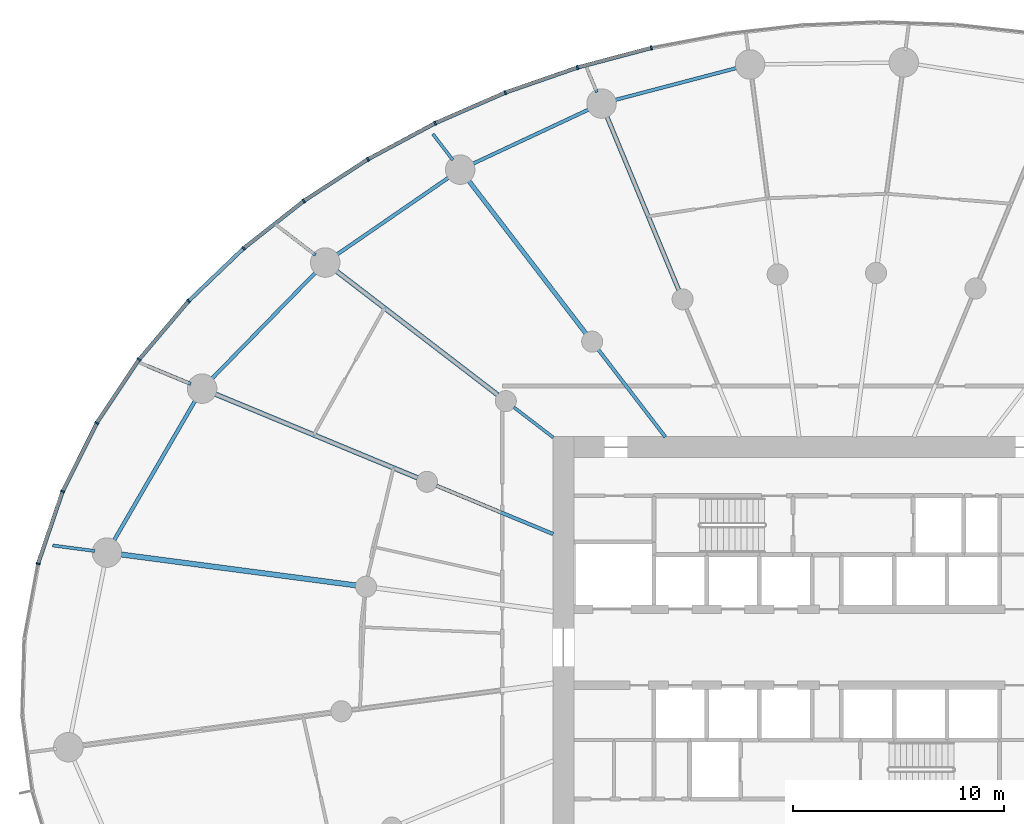
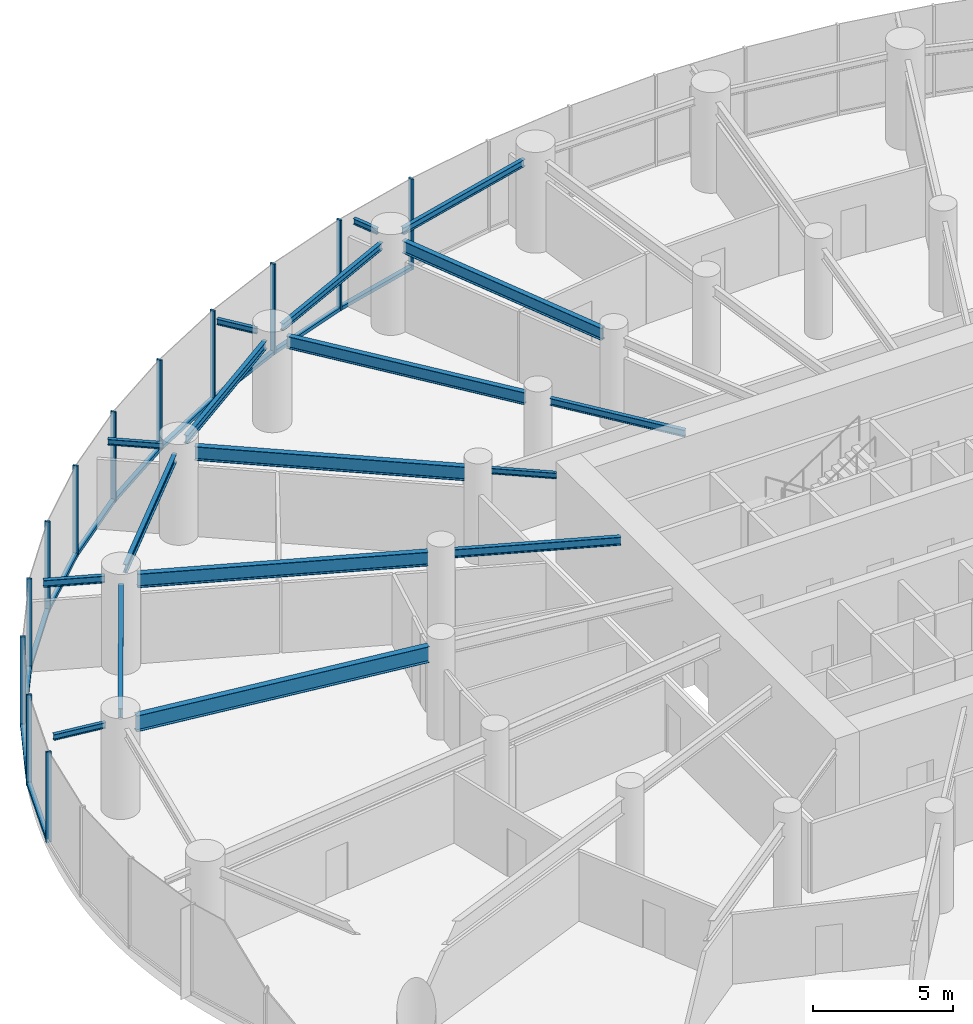
# One storey, part 6 of 18: 23 members, 18 beams, 3 elements without a shape of their own.
"""IFC4 building model written with IfcOpenShell, lengths in metres."""

from ifc_helpers import new_model, si_unit, direction, frame, origin, origin_2d, place, context, subcontext, project, spatial, rectangle, i_section, extrude, source, transform, mapped, material, layer, layer_set, material_profile, profile_set, type_object, element, aggregate, save


model = new_model("IFC4")

# Units and contexts
model_context = context("Model", 3, precision=1e-05, world=origin(), true_north=direction((0.0, 1.0)))
body_context = subcontext(model_context, "Body", "Model", "MODEL_VIEW")
ifc_project = project(units=[si_unit("LENGTHUNIT", "METRE"), si_unit("AREAUNIT", "SQUARE_METRE"), si_unit("VOLUMEUNIT", "CUBIC_METRE"), si_unit("PLANEANGLEUNIT", "RADIAN"), si_unit("MASSUNIT", "GRAM", prefix="KILO")], contexts=[model_context])

# Site, building, storey
site_placement = place(None, origin())
site = spatial("IfcSite", under=ifc_project, at=site_placement, CompositionType="ELEMENT")
building_placement = place(site_placement, origin())
building = spatial("IfcBuilding", under=site, at=building_placement, Name="Spindrift Exchange Tower", CompositionType="ELEMENT")
storey_placement = place(building_placement, frame((0.0, 0.0, 40.199951171875)))
storey = spatial("IfcBuildingStorey", under=building, at=storey_placement, Name="L09", CompositionType="ELEMENT", Elevation=40.199951171875)

# Beams
ifc_material_1 = material(Name="Steel Grade 300", Category="steel")
ifc_material_profile_1 = material_profile(ifc_material_1, i_section(OverallWidth=0.208984375, OverallDepth=0.532958984375, WebThickness=0.01025390625, FlangeThickness=0.015625, FilletRadius=0.013916015625, at=origin_2d()), Name="530UB92.4")
ifc_profile_set_1 = profile_set([ifc_material_profile_1], Name="Steel Grade 300")
beam_type_1 = type_object("IfcBeamType", Name="Floor Beam 530UB92.4 Steel Grade 300", PredefinedType="BEAM", material=ifc_profile_set_1)
shared_shape_1 = source(origin(), body_context, "Body", "SweptSolid", [
    extrude(i_section(OverallWidth=0.208984375, OverallDepth=0.532958984375, WebThickness=0.01025390625, FlangeThickness=0.015625, FilletRadius=0.013916015625, at=origin_2d()), origin(), (0.0, 0.0, 1.0), 8.99658203125),
])
beam_1_placement = place(storey_placement, frame((44.974609375, 64.9609375, 3.68359375), z_axis=(-0.382685731718, 0.923878580085, 0.0), x_axis=(-0.923878580085, -0.382685731718, 0.0)))
element("IfcBeam", 1, at=beam_1_placement, inside=storey, type_object=beam_type_1, Name="L09 radial beam R08B", PredefinedType="BEAM", context=body_context, shape_type="MappedRepresentation", body=[
    mapped(shared_shape_1, transform((0.0, 0.0, 0.0), scale=1.0)),
])
ifc_material_profile_2 = material_profile(ifc_material_1, i_section(OverallWidth=0.1650390625, OverallDepth=0.303955078125, WebThickness=0.006103515625, FlangeThickness=0.01025390625, FilletRadius=0.011474609375, at=origin_2d()), Name="310UB40.4")
ifc_profile_set_2 = profile_set([ifc_material_profile_2], Name="Steel Grade 300")
beam_type_2 = type_object("IfcBeamType", Name="Floor Beam 310UB40.4 Steel Grade 300", PredefinedType="BEAM", material=ifc_profile_set_2)
shared_shape_2 = source(origin(), body_context, "Body", "SweptSolid", [
    extrude(i_section(OverallWidth=0.1650390625, OverallDepth=0.303955078125, WebThickness=0.006103515625, FlangeThickness=0.01025390625, FilletRadius=0.011474609375, at=origin_2d()), origin(), (0.0, 0.0, 1.0), 5.224609375),
])
beam_2_placement = place(storey_placement, frame((44.3388671875, 57.984130859375, 3.798095703125), z_axis=(-0.608741499316, 0.793368632485, 0.0), x_axis=(-0.793368632485, -0.608741499316, 0.0)))
element("IfcBeam", 2, at=beam_2_placement, inside=storey, type_object=beam_type_2, Name="L09 radial beam R09A", PredefinedType="BEAM", context=body_context, shape_type="MappedRepresentation", body=[
    mapped(shared_shape_2, transform((0.0, 0.0, 0.0), scale=1.0)),
])
shared_shape_3 = source(origin(), body_context, "Body", "SweptSolid", [
    extrude(i_section(OverallWidth=0.208984375, OverallDepth=0.532958984375, WebThickness=0.01025390625, FlangeThickness=0.015625, FilletRadius=0.013916015625, at=origin_2d()), origin(), (0.0, 0.0, 1.0), 9.227783203125),
])
beam_3_placement = place(storey_placement, frame((40.573974609375, 62.890625, 3.68359375), z_axis=(-0.608747534474, 0.79336400175, 0.0), x_axis=(-0.79336400175, -0.608747534474, 0.0)))
element("IfcBeam", 3, at=beam_3_placement, inside=storey, type_object=beam_type_1, Name="L09 radial beam R09B", PredefinedType="BEAM", context=body_context, shape_type="MappedRepresentation", body=[
    mapped(shared_shape_3, transform((0.0, 0.0, 0.0), scale=1.0)),
])
ifc_material_profile_3 = material_profile(ifc_material_1, i_section(OverallWidth=0.14599609375, OverallDepth=0.251953125, WebThickness=0.006103515625, FlangeThickness=0.008544921875, FilletRadius=0.011962890625, at=origin_2d()), Name="250UB31.4")
ifc_profile_set_3 = profile_set([ifc_material_profile_3], Name="Steel Grade 300")
beam_type_3 = type_object("IfcBeamType", Name="Floor Beam 250UB31.4 Steel Grade 300", PredefinedType="BEAM", material=ifc_profile_set_3)
shared_shape_4 = source(origin(), body_context, "Body", "SweptSolid", [
    extrude(i_section(OverallWidth=0.14599609375, OverallDepth=0.251953125, WebThickness=0.006103515625, FlangeThickness=0.008544921875, FilletRadius=0.011962890625, at=origin_2d()), origin(), (0.0, 0.0, 1.0), 2.353759765625),
])
beam_4_placement = place(storey_placement, frame((39.015869140625, 57.963134765625, 3.823974609375), z_axis=(-0.793367573265, 0.608742879787, 0.0), x_axis=(-0.608742879787, -0.793367573265, 0.0)))
element("IfcBeam", 4, at=beam_4_placement, inside=storey, type_object=beam_type_3, Name="L09 radial beam R10A", PredefinedType="BEAM", context=body_context, shape_type="MappedRepresentation", body=[
    mapped(shared_shape_4, transform((0.0, 0.0, 0.0), scale=1.0)),
])
ifc_material_profile_4 = material_profile(ifc_material_1, i_section(OverallWidth=0.22802734375, OverallDepth=0.60693359375, WebThickness=0.01123046875, FlangeThickness=0.017333984375, FilletRadius=0.013916015625, at=origin_2d()), Name="610UB113")
ifc_profile_set_4 = profile_set([ifc_material_profile_4], Name="Steel Grade 300")
beam_type_4 = type_object("IfcBeamType", Name="Floor Beam 610UB113 Steel Grade 300", PredefinedType="BEAM", material=ifc_profile_set_4)
shared_shape_5 = source(origin(), body_context, "Body", "SweptSolid", [
    extrude(i_section(OverallWidth=0.22802734375, OverallDepth=0.60693359375, WebThickness=0.01123046875, FlangeThickness=0.017333984375, FilletRadius=0.013916015625, at=origin_2d()), origin(), (0.0, 0.0, 1.0), 9.73974609375),
])
beam_5_placement = place(storey_placement, frame((36.38671875, 59.98046875, 3.646484375), z_axis=(-0.793352119621, 0.608763019814, 0.0), x_axis=(-0.608763019814, -0.793352119621, 0.0)))
element("IfcBeam", 5, at=beam_5_placement, inside=storey, type_object=beam_type_4, Name="L09 radial beam R10B", PredefinedType="BEAM", context=body_context, shape_type="MappedRepresentation", body=[
    mapped(shared_shape_5, transform((0.0, 0.0, 0.0), scale=1.0)),
])
ifc_material_profile_5 = material_profile(ifc_material_1, i_section(OverallWidth=0.172119140625, OverallDepth=0.35888671875, WebThickness=0.008056640625, FlangeThickness=0.012939453125, FilletRadius=0.013916015625, at=origin_2d()), Name="360UB56.7")
ifc_profile_set_5 = profile_set([ifc_material_profile_5], Name="Steel Grade 300")
beam_type_5 = type_object("IfcBeamType", Name="Floor Beam 360UB56.7 Steel Grade 300", PredefinedType="BEAM", material=ifc_profile_set_5)
shared_shape_6 = source(origin(), body_context, "Body", "SweptSolid", [
    extrude(i_section(OverallWidth=0.172119140625, OverallDepth=0.35888671875, WebThickness=0.008056640625, FlangeThickness=0.012939453125, FilletRadius=0.013916015625, at=origin_2d()), origin(), (0.0, 0.0, 1.0), 6.004638671875),
])
beam_6_placement = place(storey_placement, frame((39.0185546875, 53.377197265625, 3.7705078125), z_axis=(-0.923882044911, 0.38267736684, 0.0), x_axis=(-0.38267736684, -0.923882044911, 0.0)))
element("IfcBeam", 6, at=beam_6_placement, inside=storey, type_object=beam_type_5, Name="L09 radial beam R11A", PredefinedType="BEAM", context=body_context, shape_type="MappedRepresentation", body=[
    mapped(shared_shape_6, transform((0.0, 0.0, 0.0), scale=1.0)),
])
shared_shape_7 = source(origin(), body_context, "Body", "SweptSolid", [
    extrude(i_section(OverallWidth=0.22802734375, OverallDepth=0.60693359375, WebThickness=0.01123046875, FlangeThickness=0.017333984375, FilletRadius=0.013916015625, at=origin_2d()), origin(), (0.0, 0.0, 1.0), 10.4912109375),
])
beam_7_placement = place(storey_placement, frame((32.583984375, 56.04248046875, 3.646484375), z_axis=(-0.923885231151, 0.382669674342, 0.0), x_axis=(-0.382669674342, -0.923885231151, 0.0)))
element("IfcBeam", 7, at=beam_7_placement, inside=storey, type_object=beam_type_4, Name="L09 radial beam R11B", PredefinedType="BEAM", context=body_context, shape_type="MappedRepresentation", body=[
    mapped(shared_shape_7, transform((0.0, 0.0, 0.0), scale=1.0)),
])
ifc_material_profile_6 = material_profile(ifc_material_1, i_section(OverallWidth=0.25, OverallDepth=0.699951171875, WebThickness=0.008056640625, FlangeThickness=0.011962890625, at=origin_2d()), Name="700WB115")
ifc_profile_set_6 = profile_set([ifc_material_profile_6], Name="Steel Grade 300")
beam_type_6 = type_object("IfcBeamType", Name="Floor Beam 700WB115 Steel Grade 300", PredefinedType="BEAM", material=ifc_profile_set_6)
shared_shape_8 = source(origin(), body_context, "Body", "SweptSolid", [
    extrude(i_section(OverallWidth=0.25, OverallDepth=0.699951171875, WebThickness=0.008056640625, FlangeThickness=0.011962890625, at=origin_2d()), origin(), (0.0, 0.0, 1.0), 11.34423828125),
])
beam_8_placement = place(storey_placement, frame((29.660888671875, 50.94091796875, 3.60009765625), z_axis=(-0.991444770187, 0.130526884848, 0.0), x_axis=(-0.130526884848, -0.991444770187, 0.0)))
element("IfcBeam", 8, at=beam_8_placement, inside=storey, type_object=beam_type_6, Name="L09 radial beam R12B", PredefinedType="BEAM", context=body_context, shape_type="MappedRepresentation", body=[
    mapped(shared_shape_8, transform((0.0, 0.0, 0.0), scale=1.0)),
])
ifc_material_profile_7 = material_profile(ifc_material_1, i_section(OverallWidth=0.1650390625, OverallDepth=0.303955078125, WebThickness=0.006103515625, FlangeThickness=0.01025390625, FilletRadius=0.011474609375, at=origin_2d()), Name="310UB40.4")
ifc_profile_set_7 = profile_set([ifc_material_profile_7], Name="Steel Grade 300")
beam_type_7 = type_object("IfcBeamType", Name="Edge Beam 310UB40.4 Steel Grade 300", PredefinedType="SPANDREL", material=ifc_profile_set_7)
shared_shape_9 = source(origin(), body_context, "Body", "SweptSolid", [
    extrude(i_section(OverallWidth=0.1650390625, OverallDepth=0.303955078125, WebThickness=0.006103515625, FlangeThickness=0.01025390625, FilletRadius=0.011474609375, at=origin_2d()), origin(), (0.0, 0.0, 1.0), 6.128173828125),
])
beam_9_placement = place(storey_placement, frame((47.79736328125, 75.513916015625, 3.798095703125), z_axis=(-0.967147261855, -0.254216785216, 0.0), x_axis=(0.254216785216, -0.967147261855, 0.0)))
element("IfcBeam", 9, at=beam_9_placement, inside=storey, type_object=beam_type_7, Name="L09 edge beam E07", PredefinedType="SPANDREL", context=body_context, shape_type="MappedRepresentation", body=[
    mapped(shared_shape_9, transform((0.0, 0.0, 0.0), scale=1.0)),
])
shared_shape_10 = source(origin(), body_context, "Body", "SweptSolid", [
    extrude(i_section(OverallWidth=0.1650390625, OverallDepth=0.303955078125, WebThickness=0.006103515625, FlangeThickness=0.01025390625, FilletRadius=0.011474609375, at=origin_2d()), origin(), (0.0, 0.0, 1.0), 6.243408203125),
])
beam_10_placement = place(storey_placement, frame((40.7841796875, 73.56298828125, 3.798095703125), z_axis=(-0.905791146607, -0.423724437257, 0.0), x_axis=(0.423724437257, -0.905791146607, 0.0)))
element("IfcBeam", 10, at=beam_10_placement, inside=storey, type_object=beam_type_7, Name="L09 edge beam E08", PredefinedType="SPANDREL", context=body_context, shape_type="MappedRepresentation", body=[
    mapped(shared_shape_10, transform((0.0, 0.0, 0.0), scale=1.0)),
])
ifc_material_profile_8 = material_profile(ifc_material_1, i_section(OverallWidth=0.172119140625, OverallDepth=0.35888671875, WebThickness=0.008056640625, FlangeThickness=0.012939453125, FilletRadius=0.013916015625, at=origin_2d()), Name="360UB56.7")
ifc_profile_set_8 = profile_set([ifc_material_profile_8], Name="Steel Grade 300")
beam_type_8 = type_object("IfcBeamType", Name="Edge Beam 360UB56.7 Steel Grade 300", PredefinedType="SPANDREL", material=ifc_profile_set_8)
shared_shape_11 = source(origin(), body_context, "Body", "SweptSolid", [
    extrude(i_section(OverallWidth=0.172119140625, OverallDepth=0.35888671875, WebThickness=0.008056640625, FlangeThickness=0.012939453125, FilletRadius=0.013916015625, at=origin_2d()), origin(), (0.0, 0.0, 1.0), 6.614990234375),
])
beam_11_placement = place(storey_placement, frame((34.125732421875, 70.3427734375, 3.7705078125), z_axis=(-0.823690708835, -0.567039342708, 0.0), x_axis=(0.567039342708, -0.823690708835, 0.0)))
element("IfcBeam", 11, at=beam_11_placement, inside=storey, type_object=beam_type_8, Name="L09 edge beam E09", PredefinedType="SPANDREL", context=body_context, shape_type="MappedRepresentation", body=[
    mapped(shared_shape_11, transform((0.0, 0.0, 0.0), scale=1.0)),
])
shared_shape_12 = source(origin(), body_context, "Body", "SweptSolid", [
    extrude(i_section(OverallWidth=0.172119140625, OverallDepth=0.35888671875, WebThickness=0.008056640625, FlangeThickness=0.012939453125, FilletRadius=0.013916015625, at=origin_2d()), origin(), (0.0, 0.0, 1.0), 7.2041015625),
])
beam_12_placement = place(storey_placement, frame((27.794189453125, 65.847900390625, 3.7705078125), z_axis=(-0.698703626006, -0.715411240481, 0.0), x_axis=(0.715411240481, -0.698703626006, 0.0)))
element("IfcBeam", 12, at=beam_12_placement, inside=storey, type_object=beam_type_8, Name="L09 edge beam E10", PredefinedType="SPANDREL", context=body_context, shape_type="MappedRepresentation", body=[
    mapped(shared_shape_12, transform((0.0, 0.0, 0.0), scale=1.0)),
])
ifc_material_profile_9 = material_profile(ifc_material_1, i_section(OverallWidth=0.177978515625, OverallDepth=0.406005859375, WebThickness=0.0078125, FlangeThickness=0.0126953125, FilletRadius=0.013916015625, at=origin_2d()), Name="410UB59.7")
ifc_profile_set_9 = profile_set([ifc_material_profile_9], Name="Steel Grade 300")
beam_type_9 = type_object("IfcBeamType", Name="Edge Beam 410UB59.7 Steel Grade 300", PredefinedType="SPANDREL", material=ifc_profile_set_9)
shared_shape_13 = source(origin(), body_context, "Body", "SweptSolid", [
    extrude(i_section(OverallWidth=0.177978515625, OverallDepth=0.406005859375, WebThickness=0.0078125, FlangeThickness=0.0126953125, FilletRadius=0.013916015625, at=origin_2d()), origin(), (0.0, 0.0, 1.0), 7.837646484375),
])
beam_13_placement = place(storey_placement, frame((22.064208984375, 59.777587890625, 3.7470703125), z_axis=(-0.50198145655, -0.864878382942, 0.0), x_axis=(0.864878382942, -0.50198145655, 0.0)))
element("IfcBeam", 13, at=beam_13_placement, inside=storey, type_object=beam_type_9, Name="L09 edge beam E11", PredefinedType="SPANDREL", context=body_context, shape_type="MappedRepresentation", body=[
    mapped(shared_shape_13, transform((0.0, 0.0, 0.0), scale=1.0)),
])
ifc_material_profile_10 = material_profile(ifc_material_1, i_section(OverallWidth=0.14599609375, OverallDepth=0.251953125, WebThickness=0.006103515625, FlangeThickness=0.008544921875, FilletRadius=0.011962890625, at=origin_2d()), Name="250UB31.4")
ifc_profile_set_10 = profile_set([ifc_material_profile_10], Name="Steel Grade 300")
beam_type_10 = type_object("IfcBeamType", Name="Cantilever Beam 250UB31.4 Steel Grade 300", PredefinedType="BEAM", material=ifc_profile_set_10)
shared_shape_14 = source(origin(), body_context, "Body", "SweptSolid", [
    extrude(i_section(OverallWidth=0.14599609375, OverallDepth=0.251953125, WebThickness=0.006103515625, FlangeThickness=0.008544921875, FilletRadius=0.011962890625, at=origin_2d()), origin(), (0.0, 0.0, 1.0), 1.0703125),
])
beam_14_placement = place(storey_placement, frame((41.087890625, 74.344482421875, 3.823974609375), z_axis=(-0.382768141022, 0.923844440487, 0.0), x_axis=(-0.923844440487, -0.382768141022, 0.0)))
element("IfcBeam", 14, at=beam_14_placement, inside=storey, type_object=beam_type_10, Name="L09 cantilever beam R08T", PredefinedType="BEAM", context=body_context, shape_type="MappedRepresentation", body=[
    mapped(shared_shape_14, transform((0.0, 0.0, 0.0), scale=1.0)),
])
shared_shape_15 = source(origin(), body_context, "Body", "SweptSolid", [
    extrude(i_section(OverallWidth=0.14599609375, OverallDepth=0.251953125, WebThickness=0.006103515625, FlangeThickness=0.008544921875, FilletRadius=0.011962890625, at=origin_2d()), origin(), (0.0, 0.0, 1.0), 1.551025390625),
])
beam_15_placement = place(storey_placement, frame((34.250244140625, 71.1318359375, 3.823974609375), z_axis=(-0.608728928553, 0.79337827771, 0.0), x_axis=(-0.79337827771, -0.608728928553, 0.0)))
element("IfcBeam", 15, at=beam_15_placement, inside=storey, type_object=beam_type_10, Name="L09 cantilever beam R09T", PredefinedType="BEAM", context=body_context, shape_type="MappedRepresentation", body=[
    mapped(shared_shape_15, transform((0.0, 0.0, 0.0), scale=1.0)),
])
shared_shape_16 = source(origin(), body_context, "Body", "SweptSolid", [
    extrude(i_section(OverallWidth=0.14599609375, OverallDepth=0.251953125, WebThickness=0.006103515625, FlangeThickness=0.008544921875, FilletRadius=0.011962890625, at=origin_2d()), origin(), (0.0, 0.0, 1.0), 1.985107421875),
])
beam_16_placement = place(storey_placement, frame((27.7392578125, 66.615966796875, 3.823974609375), z_axis=(-0.7933549083, 0.608759385535, 0.0), x_axis=(-0.608759385535, -0.7933549083, 0.0)))
element("IfcBeam", 16, at=beam_16_placement, inside=storey, type_object=beam_type_10, Name="L09 cantilever beam R10T", PredefinedType="BEAM", context=body_context, shape_type="MappedRepresentation", body=[
    mapped(shared_shape_16, transform((0.0, 0.0, 0.0), scale=1.0)),
])
ifc_material_profile_11 = material_profile(ifc_material_1, i_section(OverallWidth=0.1650390625, OverallDepth=0.303955078125, WebThickness=0.006103515625, FlangeThickness=0.01025390625, FilletRadius=0.011474609375, at=origin_2d()), Name="310UB40.4")
ifc_profile_set_11 = profile_set([ifc_material_profile_11], Name="Steel Grade 300")
beam_type_11 = type_object("IfcBeamType", Name="Cantilever Beam 310UB40.4 Steel Grade 300", PredefinedType="BEAM", material=ifc_profile_set_11)
shared_shape_17 = source(origin(), body_context, "Body", "SweptSolid", [
    extrude(i_section(OverallWidth=0.1650390625, OverallDepth=0.303955078125, WebThickness=0.006103515625, FlangeThickness=0.01025390625, FilletRadius=0.011474609375, at=origin_2d()), origin(), (0.0, 0.0, 1.0), 2.22412109375),
])
beam_17_placement = place(storey_placement, frame((21.819580078125, 60.501220703125, 3.798095703125), z_axis=(-0.923896434598, 0.38264262457, 0.0), x_axis=(-0.38264262457, -0.923896434598, 0.0)))
element("IfcBeam", 17, at=beam_17_placement, inside=storey, type_object=beam_type_11, Name="L09 cantilever beam R11T", PredefinedType="BEAM", context=body_context, shape_type="MappedRepresentation", body=[
    mapped(shared_shape_17, transform((0.0, 0.0, 0.0), scale=1.0)),
])
shared_shape_18 = source(origin(), body_context, "Body", "SweptSolid", [
    extrude(i_section(OverallWidth=0.14599609375, OverallDepth=0.251953125, WebThickness=0.006103515625, FlangeThickness=0.008544921875, FilletRadius=0.011962890625, at=origin_2d()), origin(), (0.0, 0.0, 1.0), 2.016845703125),
])
beam_18_placement = place(storey_placement, frame((17.263916015625, 52.572998046875, 3.823974609375), z_axis=(-0.991448526078, 0.130498353005, 0.0), x_axis=(-0.130498353005, -0.991448526078, 0.0)))
element("IfcBeam", 18, at=beam_18_placement, inside=storey, type_object=beam_type_10, Name="L09 cantilever beam R12T", PredefinedType="BEAM", context=body_context, shape_type="MappedRepresentation", body=[
    mapped(shared_shape_18, transform((0.0, 0.0, 0.0), scale=1.0)),
])

# Curtain wall, members
ifc_material_2 = material(Name="Fritted laminated glass with bronze frame", Category="glass")
ifc_layer = layer(ifc_material_2, 0.199951171875)
ifc_layer_set = layer_set([ifc_layer], Name="ZONE 1 BRONZE FRITTED WALL")
curtain_wall_type = type_object("IfcCurtainWallType", Name="ZONE 1 BRONZE FRITTED WALL", PredefinedType="NOTDEFINED", material=ifc_layer_set)
curtain_wall_1_placement = place(storey_placement, origin())
curtain_wall_1 = element("IfcCurtainWall", 19, at=curtain_wall_1_placement, inside=storey, type_object=curtain_wall_type, Name="L09 Zone 1 Bronze Fritted Wall run 3", PredefinedType="NOTDEFINED")
ifc_material_3 = material(Name="Bronze anodised aluminium", Category="aluminium")
ifc_material_profile_12 = material_profile(ifc_material_3, rectangle(XDim=0.080078125, YDim=0.199951171875, at=origin_2d()), Name="ZONE 1 BRONZE FRITTED WALL MULLION 80X200")
ifc_profile_set_12 = profile_set([ifc_material_profile_12], Name="Bronze anodised aluminium")
member_type_1 = type_object("IfcMemberType", Name="ZONE 1 BRONZE FRITTED WALL MULLION 80X200", PredefinedType="MULLION", material=ifc_profile_set_12)
shared_shape_19 = source(origin(), body_context, "Body", "SweptSolid", [
    extrude(rectangle(XDim=0.080078125, YDim=0.199951171875, at=origin_2d()), origin(), (0.0, 0.0, 1.0), 3.949951171875),
])
member_1_placement = place(storey_placement, frame((43.67431640625, 76.4482421875, 0.0), z_axis=(0.0, 0.0, 1.0), x_axis=(-0.975299551682, -0.220886361028, 0.0)))
member_1 = element("IfcMember", 20, at=member_1_placement, type_object=member_type_1, Name="L09 mullion CW-1.17", PredefinedType="MULLION", context=body_context, shape_type="MappedRepresentation", body=[
    mapped(shared_shape_19, transform((0.0, 0.0, 0.0), scale=1.0)),
])
member_2_placement = place(storey_placement, frame((40.168212890625, 75.517578125, 0.0), z_axis=(0.0, 0.0, 1.0), x_axis=(-0.956249825272, -0.292551314588, 0.0)))
member_2 = element("IfcMember", 21, at=member_2_placement, type_object=member_type_1, Name="L09 mullion CW-1.18", PredefinedType="MULLION", context=body_context, shape_type="MappedRepresentation", body=[
    mapped(shared_shape_19, transform((0.0, 0.0, 0.0), scale=1.0)),
])

curtain_wall_2_placement = place(storey_placement, origin())
curtain_wall_2 = element("IfcCurtainWall", 22, at=curtain_wall_2_placement, inside=storey, type_object=curtain_wall_type, Name="L09 Zone 1 Bronze Fritted Wall run 4", PredefinedType="NOTDEFINED")
member_3_placement = place(storey_placement, frame((36.74169921875, 74.327392578125, 0.0), z_axis=(0.0, 0.0, 1.0), x_axis=(-0.931259286114, -0.364357162721, 0.0)))
member_3 = element("IfcMember", 23, at=member_3_placement, type_object=member_type_1, Name="L09 mullion CW-1.19", PredefinedType="MULLION", context=body_context, shape_type="MappedRepresentation", body=[
    mapped(shared_shape_19, transform((0.0, 0.0, 0.0), scale=1.0)),
])
member_4_placement = place(storey_placement, frame((33.41748046875, 72.87646484375, 0.0), z_axis=(0.0, 0.0, 1.0), x_axis=(-0.89967801482, -0.436554085595, 0.0)))
member_4 = element("IfcMember", 24, at=member_4_placement, type_object=member_type_1, Name="L09 mullion CW-1.20", PredefinedType="MULLION", context=body_context, shape_type="MappedRepresentation", body=[
    mapped(shared_shape_19, transform((0.0, 0.0, 0.0), scale=1.0)),
])
member_5_placement = place(storey_placement, frame((30.220458984375, 71.1630859375, 0.0), z_axis=(0.0, 0.0, 1.0), x_axis=(-0.860611442468, -0.509262157531, 0.0)))
member_5 = element("IfcMember", 25, at=member_5_placement, type_object=member_type_1, Name="L09 mullion CW-1.21", PredefinedType="MULLION", context=body_context, shape_type="MappedRepresentation", body=[
    mapped(shared_shape_19, transform((0.0, 0.0, 0.0), scale=1.0)),
])
member_6_placement = place(storey_placement, frame((27.179931640625, 69.185302734375, 0.0), z_axis=(0.0, 0.0, 1.0), x_axis=(-0.812863948193, -0.582453604785, 0.0)))
member_6 = element("IfcMember", 26, at=member_6_placement, type_object=member_type_1, Name="L09 mullion CW-1.22", PredefinedType="MULLION", context=body_context, shape_type="MappedRepresentation", body=[
    mapped(shared_shape_19, transform((0.0, 0.0, 0.0), scale=1.0)),
])
member_7_placement = place(storey_placement, frame((24.329833984375, 66.942138671875, 0.0), z_axis=(0.0, 0.0, 1.0), x_axis=(-0.754924790352, -0.655811376016, 0.0)))
member_7 = element("IfcMember", 27, at=member_7_placement, type_object=member_type_1, Name="L09 mullion CW-1.23", PredefinedType="MULLION", context=body_context, shape_type="MappedRepresentation", body=[
    mapped(shared_shape_19, transform((0.0, 0.0, 0.0), scale=1.0)),
])
member_8_placement = place(storey_placement, frame((21.71044921875, 64.43408203125, 0.0), z_axis=(0.0, 0.0, 1.0), x_axis=(-0.685047534507, -0.728498370256, 0.0)))
member_8 = element("IfcMember", 28, at=member_8_placement, type_object=member_type_1, Name="L09 mullion CW-1.24", PredefinedType="MULLION", context=body_context, shape_type="MappedRepresentation", body=[
    mapped(shared_shape_19, transform((0.0, 0.0, 0.0), scale=1.0)),
])

curtain_wall_3_placement = place(storey_placement, origin())
curtain_wall_3 = element("IfcCurtainWall", 29, at=curtain_wall_3_placement, inside=storey, type_object=curtain_wall_type, Name="L09 Zone 1 Bronze Fritted Wall run 5", PredefinedType="NOTDEFINED")
member_9_placement = place(storey_placement, frame((19.367919921875, 61.66552734375, 0.0), z_axis=(0.0, 0.0, 1.0), x_axis=(-0.60126992096, -0.799045982499, 0.0)))
member_9 = element("IfcMember", 30, at=member_9_placement, type_object=member_type_1, Name="L09 mullion CW-1.25", PredefinedType="MULLION", context=body_context, shape_type="MappedRepresentation", body=[
    mapped(shared_shape_19, transform((0.0, 0.0, 0.0), scale=1.0)),
])
member_10_placement = place(storey_placement, frame((17.356689453125, 58.6484375, 0.0), z_axis=(0.0, 0.0, 1.0), x_axis=(-0.501745655034, -0.865015200823, 0.0)))
member_10 = element("IfcMember", 31, at=member_10_placement, type_object=member_type_1, Name="L09 mullion CW-1.26", PredefinedType="MULLION", context=body_context, shape_type="MappedRepresentation", body=[
    mapped(shared_shape_19, transform((0.0, 0.0, 0.0), scale=1.0)),
])
member_11_placement = place(storey_placement, frame((15.736572265625, 55.40478515625, 0.0), z_axis=(0.0, 0.0, 1.0), x_axis=(-0.385260817707, -0.92280772772, 0.0)))
member_11 = element("IfcMember", 32, at=member_11_placement, type_object=member_type_1, Name="L09 mullion CW-1.27", PredefinedType="MULLION", context=body_context, shape_type="MappedRepresentation", body=[
    mapped(shared_shape_19, transform((0.0, 0.0, 0.0), scale=1.0)),
])
member_12_placement = place(storey_placement, frame((14.569580078125, 51.97265625, 0.0), z_axis=(0.0, 0.0, 1.0), x_axis=(-0.251979025835, -0.96773269581, 0.0)))
member_12 = element("IfcMember", 33, at=member_12_placement, type_object=member_type_1, Name="L09 mullion CW-1.28", PredefinedType="MULLION", context=body_context, shape_type="MappedRepresentation", body=[
    mapped(shared_shape_19, transform((0.0, 0.0, 0.0), scale=1.0)),
])
ifc_material_profile_13 = material_profile(ifc_material_3, rectangle(XDim=0.179931640625, YDim=0.14990234375, at=origin_2d()), Name="ZONE 1 BRONZE FRITTED WALL TRANSOM 180X150")
ifc_profile_set_13 = profile_set([ifc_material_profile_13], Name="Bronze anodised aluminium")
member_type_2 = type_object("IfcMemberType", Name="ZONE 1 BRONZE FRITTED WALL TRANSOM 180X150", PredefinedType="USERDEFINED", material=ifc_profile_set_13)
shared_shape_20 = source(origin(), body_context, "Body", "SweptSolid", [
    extrude(rectangle(XDim=0.179931640625, YDim=0.14990234375, at=origin_2d()), origin(), (0.0, 0.0, 1.0), 3.545654296875),
])
member_13_placement = place(storey_placement, frame((17.3388671875, 58.612548828125, 0.074951171875), z_axis=(-0.446883050538, -0.894592387147, 0.0), x_axis=(0.894592387147, -0.446883050538, 0.0)))
member_13 = element("IfcMember", 34, at=member_13_placement, type_object=member_type_2, Name="L09 transom CW-1.26", ObjectType="TRANSOM", PredefinedType="USERDEFINED", context=body_context, shape_type="MappedRepresentation", body=[
    mapped(shared_shape_20, transform((0.0, 0.0, 0.0), scale=1.0)),
])
shared_shape_21 = source(origin(), body_context, "Body", "SweptSolid", [
    extrude(rectangle(XDim=0.179931640625, YDim=0.14990234375, at=origin_2d()), origin(), (0.0, 0.0, 1.0), 3.546142578125),
])
member_14_placement = place(storey_placement, frame((19.345703125, 61.63232421875, 0.074951171875), z_axis=(-0.554636642933, -0.832092659693, 0.0), x_axis=(0.832092659693, -0.554636642933, 0.0)))
member_14 = element("IfcMember", 35, at=member_14_placement, type_object=member_type_2, Name="L09 transom CW-1.25", ObjectType="TRANSOM", PredefinedType="USERDEFINED", context=body_context, shape_type="MappedRepresentation", body=[
    mapped(shared_shape_21, transform((0.0, 0.0, 0.0), scale=1.0)),
])

# Member
shared_shape_22 = source(origin(), body_context, "Body", "SweptSolid", [
    extrude(rectangle(XDim=0.179931640625, YDim=0.14990234375, at=origin_2d()), origin(), (0.0, 0.0, 1.0), 3.546875),
])
member_15_placement = place(storey_placement, frame((30.186767578125, 71.14111328125, 0.074951171875), z_axis=(-0.838297334556, -0.545213333362, 0.0), x_axis=(0.545213333362, -0.838297334556, 0.0)))
member_15 = element("IfcMember", 36, at=member_15_placement, type_object=member_type_2, Name="L09 transom CW-1.21", ObjectType="TRANSOM", PredefinedType="USERDEFINED", context=body_context, shape_type="MappedRepresentation", body=[
    mapped(shared_shape_22, transform((0.0, 0.0, 0.0), scale=1.0)),
])

member_16_placement = place(storey_placement, frame((27.1484375, 69.16064453125, 0.074951171875), z_axis=(-0.785806918859, -0.618471896106, 0.0), x_axis=(0.618471896106, -0.785806918859, 0.0)))
member_16 = element("IfcMember", 37, at=member_16_placement, type_object=member_type_2, Name="L09 transom CW-1.22", ObjectType="TRANSOM", PredefinedType="USERDEFINED", context=body_context, shape_type="MappedRepresentation", body=[
    mapped(shared_shape_22, transform((0.0, 0.0, 0.0), scale=1.0)),
])

shared_shape_23 = source(origin(), body_context, "Body", "SweptSolid", [
    extrude(rectangle(XDim=0.179931640625, YDim=0.14990234375, at=origin_2d()), origin(), (0.0, 0.0, 1.0), 3.54736328125),
])
member_17_placement = place(storey_placement, frame((43.6357421875, 76.43798828125, 0.074951171875), z_axis=(-0.966543800936, -0.25650161963, 0.0), x_axis=(0.25650161963, -0.966543800936, 0.0)))
member_17 = element("IfcMember", 38, at=member_17_placement, type_object=member_type_2, Name="L09 transom CW-1.17", ObjectType="TRANSOM", PredefinedType="USERDEFINED", context=body_context, shape_type="MappedRepresentation", body=[
    mapped(shared_shape_23, transform((0.0, 0.0, 0.0), scale=1.0)),
])

shared_shape_24 = source(origin(), body_context, "Body", "SweptSolid", [
    extrude(rectangle(XDim=0.179931640625, YDim=0.14990234375, at=origin_2d()), origin(), (0.0, 0.0, 1.0), 3.547119140625),
])
member_18_placement = place(storey_placement, frame((36.705078125, 74.311279296875, 0.074951171875), z_axis=(-0.916504512066, -0.400024348463, 0.0), x_axis=(0.400024348463, -0.916504512066, 0.0)))
member_18 = element("IfcMember", 39, at=member_18_placement, type_object=member_type_2, Name="L09 transom CW-1.19", ObjectType="TRANSOM", PredefinedType="USERDEFINED", context=body_context, shape_type="MappedRepresentation", body=[
    mapped(shared_shape_24, transform((0.0, 0.0, 0.0), scale=1.0)),
])

member_19_placement = place(storey_placement, frame((33.382080078125, 72.857421875, 0.074951171875), z_axis=(-0.881404241688, -0.472362744862, 0.0), x_axis=(0.472362744862, -0.881404241688, 0.0)))
member_19 = element("IfcMember", 40, at=member_19_placement, type_object=member_type_2, Name="L09 transom CW-1.20", ObjectType="TRANSOM", PredefinedType="USERDEFINED", context=body_context, shape_type="MappedRepresentation", body=[
    mapped(shared_shape_24, transform((0.0, 0.0, 0.0), scale=1.0)),
])

shared_shape_25 = source(origin(), body_context, "Body", "SweptSolid", [
    extrude(rectangle(XDim=0.179931640625, YDim=0.14990234375, at=origin_2d()), origin(), (0.0, 0.0, 1.0), 3.545166015625),
])
member_20_placement = place(storey_placement, frame((15.7236328125, 55.366943359375, 0.074951171875), z_axis=(-0.321882979363, -0.946779460908, 0.0), x_axis=(0.946779460908, -0.321882979363, 0.0)))
member_20 = element("IfcMember", 41, at=member_20_placement, type_object=member_type_2, Name="L09 transom CW-1.27", ObjectType="TRANSOM", PredefinedType="USERDEFINED", context=body_context, shape_type="MappedRepresentation", body=[
    mapped(shared_shape_25, transform((0.0, 0.0, 0.0), scale=1.0)),
])

aggregate(curtain_wall_3, [member_9, member_14, member_10, member_13, member_11, member_20, member_12])

shared_shape_26 = source(origin(), body_context, "Body", "SweptSolid", [
    extrude(rectangle(XDim=0.179931640625, YDim=0.14990234375, at=origin_2d()), origin(), (0.0, 0.0, 1.0), 3.546630859375),
])
member_21_placement = place(storey_placement, frame((24.301025390625, 66.91455078125, 0.074951171875), z_axis=(-0.722290451559, -0.691589837683, 0.0), x_axis=(0.691589837683, -0.722290451559, 0.0)))
member_21 = element("IfcMember", 42, at=member_21_placement, type_object=member_type_2, Name="L09 transom CW-1.23", ObjectType="TRANSOM", PredefinedType="USERDEFINED", context=body_context, shape_type="MappedRepresentation", body=[
    mapped(shared_shape_26, transform((0.0, 0.0, 0.0), scale=1.0)),
])

member_22_placement = place(storey_placement, frame((21.6845703125, 64.403564453125, 0.074951171875), z_axis=(-0.645908296502, -0.763415006736, 0.0), x_axis=(0.763415006736, -0.645908296502, 0.0)))
member_22 = element("IfcMember", 43, at=member_22_placement, type_object=member_type_2, Name="L09 transom CW-1.24", ObjectType="TRANSOM", PredefinedType="USERDEFINED", context=body_context, shape_type="MappedRepresentation", body=[
    mapped(shared_shape_26, transform((0.0, 0.0, 0.0), scale=1.0)),
])

aggregate(curtain_wall_2, [member_3, member_18, member_4, member_19, member_5, member_15, member_6, member_16, member_7, member_21, member_8, member_22])

shared_shape_27 = source(origin(), body_context, "Body", "SweptSolid", [
    extrude(rectangle(XDim=0.179931640625, YDim=0.14990234375, at=origin_2d()), origin(), (0.0, 0.0, 1.0), 3.547607421875),
])
member_23_placement = place(storey_placement, frame((40.130615234375, 75.504638671875, 0.074951171875), z_axis=(-0.944630413663, -0.328136224125, 0.0), x_axis=(0.328136224125, -0.944630413663, 0.0)))
member_23 = element("IfcMember", 44, at=member_23_placement, type_object=member_type_2, Name="L09 transom CW-1.18", ObjectType="TRANSOM", PredefinedType="USERDEFINED", context=body_context, shape_type="MappedRepresentation", body=[
    mapped(shared_shape_27, transform((0.0, 0.0, 0.0), scale=1.0)),
])

aggregate(curtain_wall_1, [member_1, member_17, member_2, member_23])

save(model, "model.ifc")
